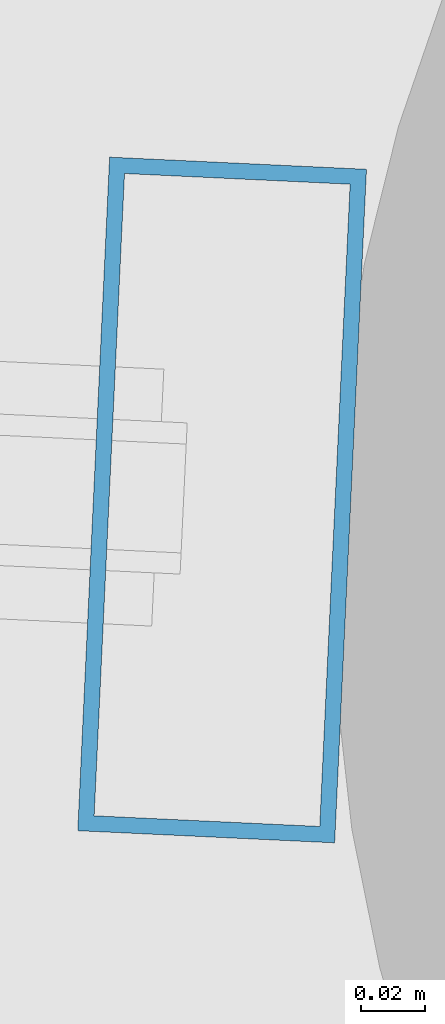
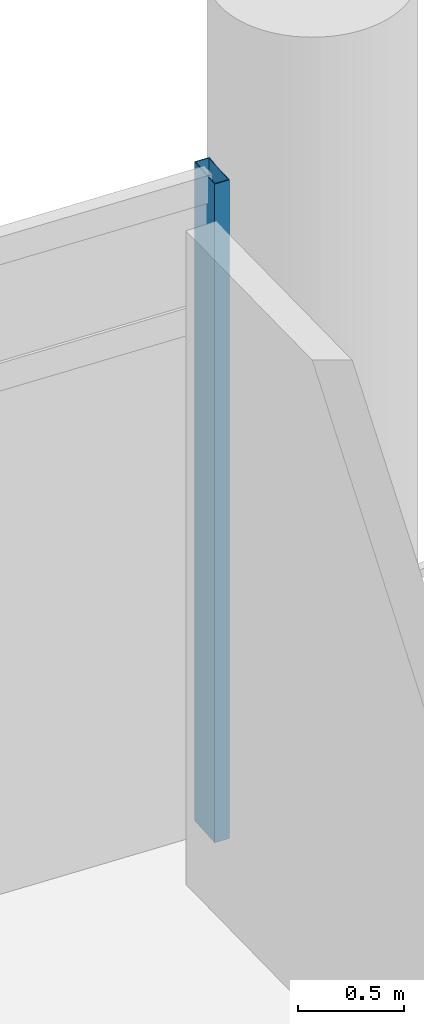
# One storey, part 32 of 171: 1 member, 1 element without a shape of its own.
"""IFC4 building model written with IfcOpenShell, lengths in metres."""

from ifc_helpers import new_model, si_unit, direction, frame, origin, origin_2d, place, context, subcontext, project, spatial, hollow_rectangle, extrude, material, layer, layer_set, material_profile, profile_set, type_object, element, aggregate, save


model = new_model("IFC4")

# Units and contexts
model_context = context("Model", 3, precision=1e-05, world=origin(), true_north=direction((0.0, 1.0)))
body_context = subcontext(model_context, "Body", "Model", "MODEL_VIEW")
ifc_project = project(units=[si_unit("LENGTHUNIT", "METRE"), si_unit("AREAUNIT", "SQUARE_METRE"), si_unit("VOLUMEUNIT", "CUBIC_METRE"), si_unit("PLANEANGLEUNIT", "RADIAN"), si_unit("MASSUNIT", "GRAM", prefix="KILO")], contexts=[model_context])

# Site, building, storey
site_placement = place(None, origin())
site = spatial("IfcSite", under=ifc_project, at=site_placement, CompositionType="ELEMENT")
building_placement = place(site_placement, origin())
building = spatial("IfcBuilding", under=site, at=building_placement, Name="Kazemori Nagisa Stadium", CompositionType="ELEMENT")
storey_placement = place(building_placement, frame((0.0, 0.0, 15.639892578125)))
storey = spatial("IfcBuildingStorey", under=building, at=storey_placement, Name="L03", CompositionType="ELEMENT", Elevation=15.639892578125)

# Curtain wall, member
ifc_material_1 = material(Name="Anodised aluminium 6063-T5", Category="aluminium")
ifc_layer = layer(ifc_material_1, 0.2099609375, Name="Anodised aluminium 6063-T5", Category="aluminium")
ifc_layer_set = layer_set([ifc_layer], Name="Anodised aluminium 6063-T5")
curtain_wall_type = type_object("IfcCurtainWallType", Name="CW_L03B_73", PredefinedType="USERDEFINED", material=ifc_layer_set)
curtain_wall_placement = place(storey_placement, origin())
curtain_wall = element("IfcCurtainWall", 1, at=curtain_wall_placement, inside=storey, type_object=curtain_wall_type, Name="Unitised curtain wall CW-L03B-73 L03", ObjectType="UNITISED CURTAIN WALL", PredefinedType="USERDEFINED")
ifc_material_2 = material(Name="Aluminium 6063-T5 anodised", Category="aluminium")
ifc_material_profile = material_profile(ifc_material_2, hollow_rectangle(XDim=0.080078125, YDim=0.2099609375, WallThickness=0.0048828125, at=origin_2d()), Name="ALU-MULL-80x210x5")
ifc_profile_set = profile_set([ifc_material_profile], Name="Aluminium 6063-T5 anodised")
member_type = type_object("IfcMemberType", Name="Mullion_M02", PredefinedType="MULLION", material=ifc_profile_set)
member_placement = place(storey_placement, frame((122.465576171875, 39.245361328125, 0.0), z_axis=(0.0, 0.0, 1.0), x_axis=(0.998884022476, -0.047230388971, 0.0)))
member = element("IfcMember", 2, at=member_placement, type_object=member_type, Name="Curtain wall mullion CW-L03B-73-M4", PredefinedType="MULLION", context=body_context, shape_type="SweptSolid", body=[
    extrude(hollow_rectangle(XDim=0.080078125, YDim=0.2099609375, WallThickness=0.0048828125, at=origin_2d()), origin(), (0.0, 0.0, 1.0), 3.81005859375),
])
aggregate(curtain_wall, [member])

save(model, "model.ifc")
